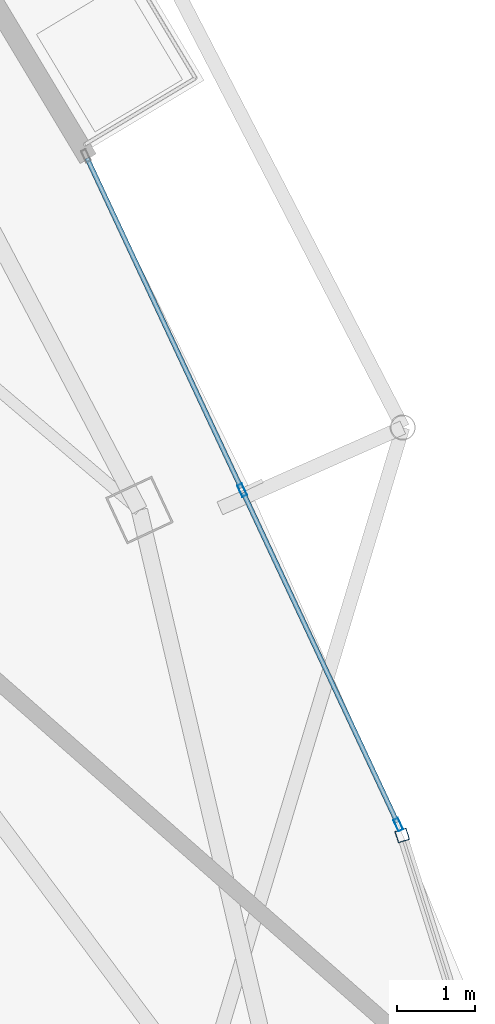
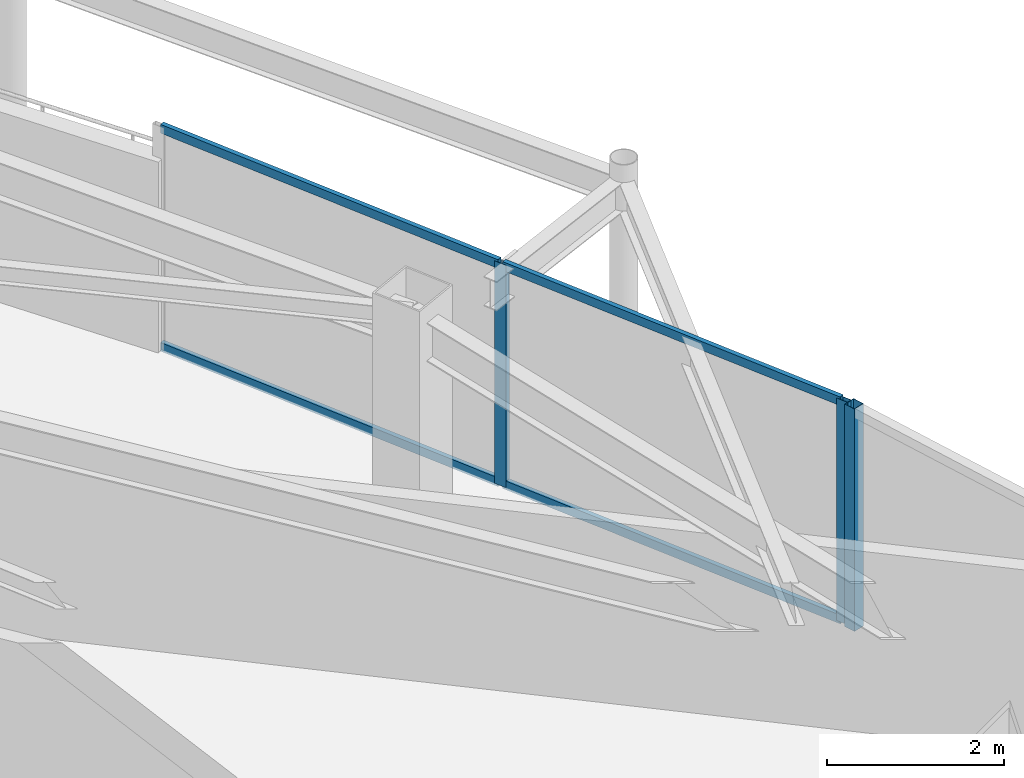
# One storey, part 16 of 28: 7 members, 2 elements without a shape of their own.
"""IFC4 building model written with IfcOpenShell, lengths in metres."""

from ifc_helpers import new_model, si_unit, direction, frame, origin, origin_2d, place, context, subcontext, project, spatial, hollow_rectangle, extrude, material, layer, layer_set, material_profile, profile_set, type_object, element, aggregate, save


model = new_model("IFC4")

# Units and contexts
model_context = context("Model", 3, precision=1e-05, world=origin(), true_north=direction((0.0, 1.0)))
body_context = subcontext(model_context, "Body", "Model", "MODEL_VIEW")
ifc_project = project(units=[si_unit("LENGTHUNIT", "METRE"), si_unit("AREAUNIT", "SQUARE_METRE"), si_unit("VOLUMEUNIT", "CUBIC_METRE"), si_unit("PLANEANGLEUNIT", "RADIAN"), si_unit("MASSUNIT", "GRAM", prefix="KILO")], contexts=[model_context])

# Site, building, storey
site_placement = place(None, origin())
site = spatial("IfcSite", under=ifc_project, at=site_placement, CompositionType="ELEMENT")
building_placement = place(site_placement, origin())
building = spatial("IfcBuilding", under=site, at=building_placement, Name="Orvanel Arch Residences", CompositionType="ELEMENT")
storey_placement = place(building_placement, frame((0.0, 0.0, 263.449951171875)))
storey = spatial("IfcBuildingStorey", under=building, at=storey_placement, Name="L75", CompositionType="ELEMENT", Elevation=263.449951171875)

# Curtain wall, member
ifc_material = material(Name="Bronze-anodised aluminium AA6063-T6", Category="aluminium")
ifc_layer_1 = layer(ifc_material, 0.18994140625)
ifc_layer_set_1 = layer_set([ifc_layer_1], Name="Bronze-anodised aluminium AA6063-T6")
curtain_wall_type_1 = type_object("IfcCurtainWallType", Name="CW5-CRN-SYS", PredefinedType="NOTDEFINED", material=ifc_layer_set_1)
curtain_wall_1_placement = place(storey_placement, origin())
curtain_wall_1 = element("IfcCurtainWall", 1, at=curtain_wall_1_placement, inside=storey, type_object=curtain_wall_type_1, Name="L75 CW5-CRN-SYS Unitised Curtain Wall", PredefinedType="NOTDEFINED")
ifc_material_profile_1 = material_profile(ifc_material, hollow_rectangle(XDim=0.14990234375, YDim=0.14990234375, WallThickness=0.0048828125, at=origin_2d()), Name="ALU150x150x5")
ifc_profile_set_1 = profile_set([ifc_material_profile_1], Name="Bronze-anodised aluminium AA6063-T6")
member_type_1 = type_object("IfcMemberType", Name="MUL-150x150", PredefinedType="MULLION", material=ifc_profile_set_1)
member_1_placement = place(storey_placement, frame((52.983642578125, 15.493408203125, 0.0), z_axis=(0.0, 0.0, 1.0), x_axis=(-0.953425503375, -0.30162859532, 0.0)))
member_1 = element("IfcMember", 2, at=member_1_placement, type_object=member_type_1, Name="CW-S5 mullion 2", PredefinedType="MULLION", context=body_context, shape_type="SweptSolid", body=[
    extrude(hollow_rectangle(XDim=0.14990234375, YDim=0.14990234375, WallThickness=0.0048828125, at=origin_2d()), origin(), (0.0, 0.0, 1.0), 3.06005859375),
])
aggregate(curtain_wall_1, [member_1])

# Curtain wall, members
ifc_layer_2 = layer(ifc_material, 0.175048828125)
ifc_layer_set_2 = layer_set([ifc_layer_2], Name="Bronze-anodised aluminium AA6063-T6")
curtain_wall_type_2 = type_object("IfcCurtainWallType", Name="CW4-HI-SYS", PredefinedType="NOTDEFINED", material=ifc_layer_set_2)
curtain_wall_2_placement = place(storey_placement, origin())
curtain_wall_2 = element("IfcCurtainWall", 3, at=curtain_wall_2_placement, inside=storey, type_object=curtain_wall_type_2, Name="L75 CW4-HI-SYS Unitised Curtain Wall", PredefinedType="NOTDEFINED")
ifc_material_profile_2 = material_profile(ifc_material, hollow_rectangle(XDim=0.06494140625, YDim=0.159912109375, WallThickness=0.00390625, at=origin_2d()), Name="ALU160x65x4")
ifc_profile_set_2 = profile_set([ifc_material_profile_2], Name="Bronze-anodised aluminium AA6063-T6")
member_type_2 = type_object("IfcMemberType", Name="MUL-160x65", PredefinedType="MULLION", material=ifc_profile_set_2)
member_2_placement = place(storey_placement, frame((52.933349609375, 15.63134765625, 0.0), z_axis=(0.0, 0.0, 1.0), x_axis=(-0.906094149888, -0.423076106083, 0.0)))
member_2 = element("IfcMember", 4, at=member_2_placement, type_object=member_type_2, Name="CW-S4 mullion 1", PredefinedType="MULLION", context=body_context, shape_type="SweptSolid", body=[
    extrude(hollow_rectangle(XDim=0.06494140625, YDim=0.159912109375, WallThickness=0.00390625, at=origin_2d()), origin(), (0.0, 0.0, 1.0), 3.06005859375),
])
member_3_placement = place(storey_placement, frame((50.9423828125, 19.89501953125, 0.0), z_axis=(0.0, 0.0, 1.0), x_axis=(-0.906094149888, -0.423076106083, 0.0)))
member_3 = element("IfcMember", 5, at=member_3_placement, type_object=member_type_2, Name="CW-S4 mullion 2", PredefinedType="MULLION", context=body_context, shape_type="SweptSolid", body=[
    extrude(hollow_rectangle(XDim=0.06494140625, YDim=0.159912109375, WallThickness=0.00390625, at=origin_2d()), origin(), (0.0, 0.0, 1.0), 3.06005859375),
])
ifc_material_profile_3 = material_profile(ifc_material, hollow_rectangle(XDim=0.06005859375, YDim=0.1201171875, WallThickness=0.00341796875, at=origin_2d()), Name="ALU120x60x3.5")
ifc_profile_set_3 = profile_set([ifc_material_profile_3], Name="Bronze-anodised aluminium AA6063-T6")
member_type_3 = type_object("IfcMemberType", Name="TRN-120x60", PredefinedType="USERDEFINED", material=ifc_profile_set_3)
member_4_placement = place(storey_placement, frame((52.91943359375, 15.660888671875, 0.030029296875), z_axis=(-0.423061154088, 0.906101131167, 0.0), x_axis=(-0.906101131167, -0.423061154088, 0.0)))
member_4 = element("IfcMember", 6, at=member_4_placement, type_object=member_type_3, Name="CW-S4 transom 1.1", ObjectType="TRANSOM", PredefinedType="USERDEFINED", context=body_context, shape_type="SweptSolid", body=[
    extrude(hollow_rectangle(XDim=0.06005859375, YDim=0.1201171875, WallThickness=0.00341796875, at=origin_2d()), origin(), (0.0, 0.0, 1.0), 4.640380859375),
])
member_5_placement = place(storey_placement, frame((52.91943359375, 15.660888671875, 3.030029296875), z_axis=(-0.423061154088, 0.906101131167, 0.0), x_axis=(-0.906101131167, -0.423061154088, 0.0)))
member_5 = element("IfcMember", 7, at=member_5_placement, type_object=member_type_3, Name="CW-S4 transom 1.2", ObjectType="TRANSOM", PredefinedType="USERDEFINED", context=body_context, shape_type="SweptSolid", body=[
    extrude(hollow_rectangle(XDim=0.06005859375, YDim=0.1201171875, WallThickness=0.00341796875, at=origin_2d()), origin(), (0.0, 0.0, 1.0), 4.640380859375),
])
member_6_placement = place(storey_placement, frame((50.9287109375, 19.924560546875, 0.030029296875), z_axis=(-0.423061154088, 0.906101131167, 0.0), x_axis=(-0.906101131167, -0.423061154088, 0.0)))
member_6 = element("IfcMember", 8, at=member_6_placement, type_object=member_type_3, Name="CW-S4 transom 2.1", ObjectType="TRANSOM", PredefinedType="USERDEFINED", context=body_context, shape_type="SweptSolid", body=[
    extrude(hollow_rectangle(XDim=0.06005859375, YDim=0.1201171875, WallThickness=0.00341796875, at=origin_2d()), origin(), (0.0, 0.0, 1.0), 4.640380859375),
])
member_7_placement = place(storey_placement, frame((50.9287109375, 19.924560546875, 3.030029296875), z_axis=(-0.423061154088, 0.906101131167, 0.0), x_axis=(-0.906101131167, -0.423061154088, 0.0)))
member_7 = element("IfcMember", 9, at=member_7_placement, type_object=member_type_3, Name="CW-S4 transom 2.2", ObjectType="TRANSOM", PredefinedType="USERDEFINED", context=body_context, shape_type="SweptSolid", body=[
    extrude(hollow_rectangle(XDim=0.06005859375, YDim=0.1201171875, WallThickness=0.00341796875, at=origin_2d()), origin(), (0.0, 0.0, 1.0), 4.640380859375),
])
aggregate(curtain_wall_2, [member_2, member_3, member_4, member_5, member_6, member_7])

save(model, "model.ifc")
